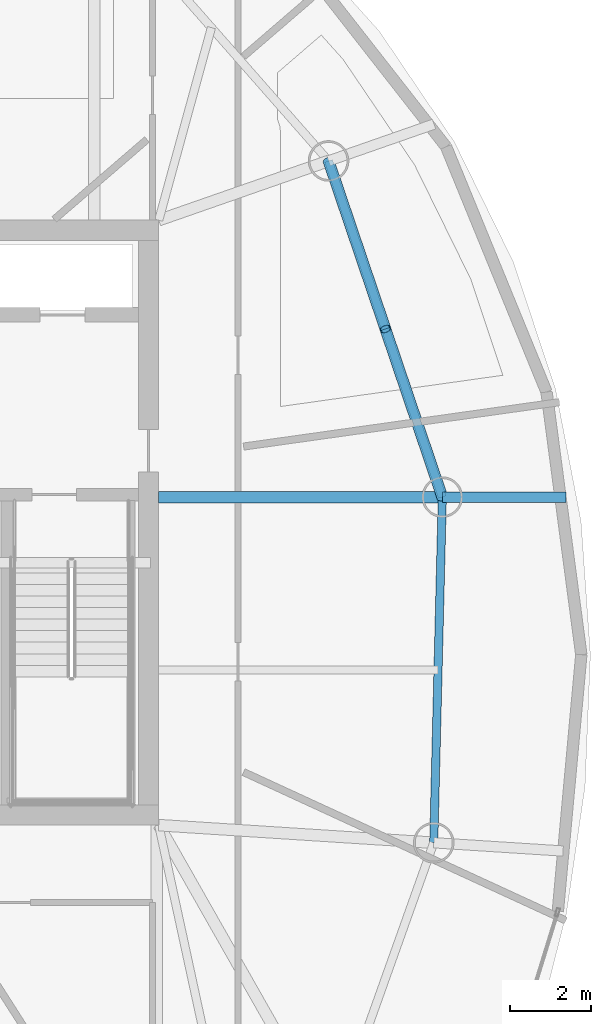
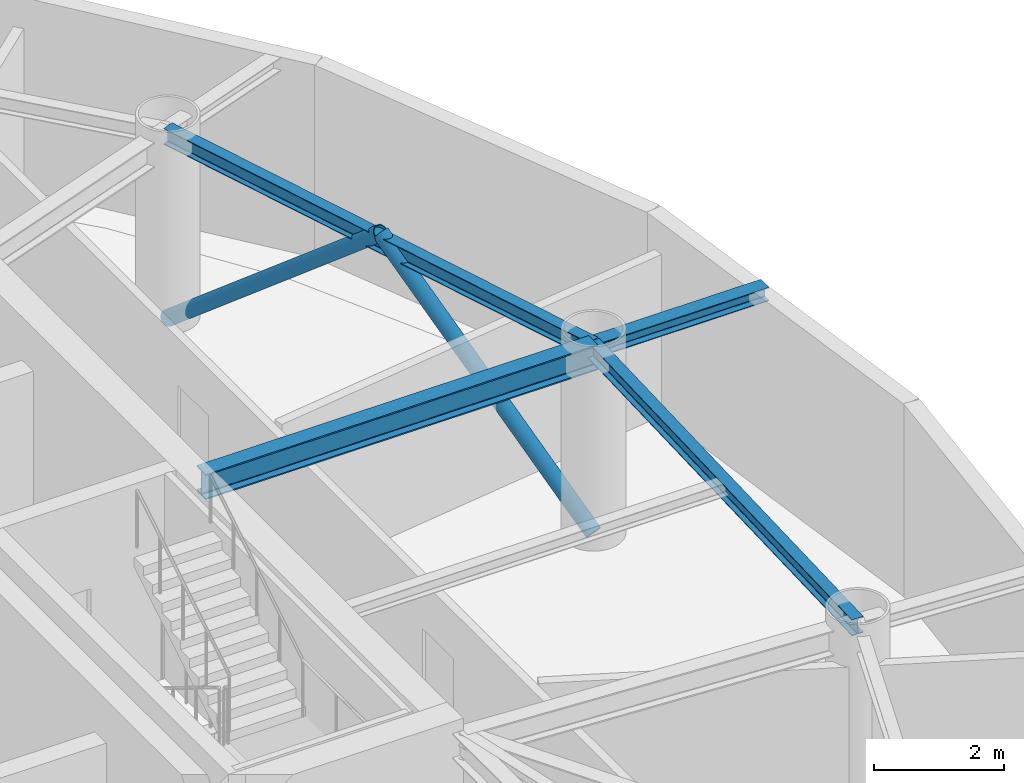
# One storey, part 7 of 19: 4 beams, 2 members.
"""IFC4 building model written with IfcOpenShell, lengths in metres."""

import ifcopenshell
import ifcopenshell.guid

model = None  # the IFC model being written
_history = None  # IfcOwnerHistory: only IFC2X3 demands one
_inside = {}  # id of a spatial element -> (the spatial element, [elements in it])
_under = {}  # id of a project, library or spatial element -> (it, [spatial elements below it])
_declared = {}  # id of a project -> (the project, [libraries it declares])
_typed = {}  # id of a type object -> (the type object, [elements of that type])
_made_of = {}  # id of a material, layer set ... -> (it, [elements and type objects made of it])


def new_model(schema):
    """Start an empty IFC model of exactly this schema.

    Asked for "IFC4X3", IfcOpenShell would pick the latest addendum, in which some entities
    have other attributes; the version numbers below select the first issue.
    IFC2X3 requires an IfcOwnerHistory on every rooted entity: one is made here for all.
    """
    global model, _history
    if schema == "IFC4X3":
        model = ifcopenshell.file(schema_version=(4, 3, 0, 0))
    else:
        model = ifcopenshell.file(schema=schema)
    _inside.clear()
    _under.clear()
    _declared.clear()
    _typed.clear()
    _made_of.clear()
    _history = None
    if model.schema == "IFC2X3":
        org = make("IfcOrganization", Name="unknown")
        user = make(
            "IfcPersonAndOrganization",
            ThePerson=make("IfcPerson", FamilyName="unknown"),
            TheOrganization=org,
        )
        app = make(
            "IfcApplication",
            ApplicationDeveloper=org,
            Version="unknown",
            ApplicationFullName="unknown",
            ApplicationIdentifier="unknown",
        )
        _history = make(
            "IfcOwnerHistory",
            OwningUser=user,
            OwningApplication=app,
            ChangeAction="ADDED",
            CreationDate=0,
        )
    return model


def make(cls, **values):
    """One entity of the class cls with the attributes given. An attribute that is None is left unset."""
    return model.create_entity(
        cls, **{name: value for name, value in values.items() if value is not None}
    )


def rooted(cls, **values):
    """An entity with a GlobalId (a new one), such as an element, a storey or a relation."""
    return make(cls, GlobalId=ifcopenshell.guid.new(), OwnerHistory=_history, **values)


def si_unit(unit_type, name, prefix=None):
    """IfcSIUnit, for example si_unit("LENGTHUNIT", "METRE", prefix="MILLI")."""
    return make("IfcSIUnit", UnitType=unit_type, Prefix=prefix, Name=name)


def assignment(units):
    """IfcUnitAssignment: the units of a project."""
    return None if units is None else make("IfcUnitAssignment", Units=units)


def point(xyz):
    """IfcCartesianPoint."""
    return None if xyz is None else make("IfcCartesianPoint", Coordinates=xyz)


def direction(xyz):
    """IfcDirection."""
    return None if xyz is None else make("IfcDirection", DirectionRatios=xyz)


def frame(location, z_axis=None, x_axis=None):
    """IfcAxis2Placement3D, a coordinate frame: its origin and axes. An axis left out is left unset."""
    return make(
        "IfcAxis2Placement3D",
        Location=point(location),
        Axis=direction(z_axis),
        RefDirection=direction(x_axis),
    )


def frame_2d(location, x_axis=None):
    """IfcAxis2Placement2D, a coordinate frame in the plane: its origin and x axis."""
    return make(
        "IfcAxis2Placement2D", Location=point(location), RefDirection=direction(x_axis)
    )


def origin():
    """The frame at (0, 0, 0) with its axes left unset."""
    return frame((0.0, 0.0, 0.0))


def origin_2d():
    """The frame at (0, 0) in the plane with its x axis left unset."""
    return frame_2d((0.0, 0.0))


def place(relative_to, where):
    """IfcLocalPlacement: puts the frame where relative to a parent placement (None: the world)."""
    return make(
        "IfcLocalPlacement", PlacementRelTo=relative_to, RelativePlacement=where
    )


def context(
    kind, dimensions, precision=None, world=None, true_north=None, identifier=None
):
    """IfcGeometricRepresentationContext, for example the 3D "Model" context."""
    return make(
        "IfcGeometricRepresentationContext",
        ContextIdentifier=identifier,
        ContextType=kind,
        CoordinateSpaceDimension=dimensions,
        Precision=precision,
        WorldCoordinateSystem=world,
        TrueNorth=true_north,
    )


def subcontext(parent, identifier, kind, view, scale=None):
    """IfcGeometricRepresentationSubContext, for example "Body" below "Model"."""
    return make(
        "IfcGeometricRepresentationSubContext",
        ContextIdentifier=identifier,
        ContextType=kind,
        ParentContext=parent,
        TargetScale=scale,
        TargetView=view,
    )


def project(units=None, contexts=None):
    """IfcProject with its units and contexts."""
    return rooted(
        "IfcProject",
        Name="project",
        RepresentationContexts=contexts,
        UnitsInContext=assignment(units),
    )


def spatial(cls, under=None, at=None, **own):
    """A site, building, storey or space (cls), placed at a placement, below another one or the project."""
    s = rooted(cls, ObjectPlacement=at, **own)
    if under is not None:
        _under.setdefault(under.id(), (under, []))[1].append(s)
    return s


def profile(cls, at=None, kind="AREA", **sizes):
    """A parametric profile (cls). Its sizes go by their IFC names, for example OverallWidth=200.0."""
    return make(cls, ProfileType=kind, Position=at, **sizes)


def hollow_circle(**sizes):
    """IfcCircleHollowProfileDef."""
    return profile("IfcCircleHollowProfileDef", **sizes)


def i_section(**sizes):
    """IfcIShapeProfileDef."""
    return profile("IfcIShapeProfileDef", **sizes)


def extrude(swept, where, along, depth):
    """IfcExtrudedAreaSolid: the profile swept, set in the frame where, extruded along a direction by depth."""
    return make(
        "IfcExtrudedAreaSolid",
        SweptArea=swept,
        Position=where,
        ExtrudedDirection=direction(along),
        Depth=depth,
    )


def shape(context_of_items, identifier, shape_type, items):
    """IfcShapeRepresentation: the items that make up one representation, for example the "Body"."""
    return make(
        "IfcShapeRepresentation",
        ContextOfItems=context_of_items,
        RepresentationIdentifier=identifier,
        RepresentationType=shape_type,
        Items=items,
    )


def material(Name=None, Category=None):
    """IfcMaterial."""
    return make("IfcMaterial", Name=Name, Category=Category)


def material_profile(
    of_material, cross_section, Name=None, Category=None, Priority=None
):
    """IfcMaterialProfile: a cross section and its material."""
    return make(
        "IfcMaterialProfile",
        Name=Name,
        Material=of_material,
        Profile=cross_section,
        Priority=Priority,
        Category=Category,
    )


def profile_set(profiles, Name=None, composite=None):
    """IfcMaterialProfileSet."""
    return make(
        "IfcMaterialProfileSet",
        Name=Name,
        MaterialProfiles=profiles,
        CompositeProfile=composite,
    )


def made_of(thing, what):
    """Note that an element or type object is made of a material, layer set ...; save() writes the relation."""
    if what is not None:
        _made_of.setdefault(what.id(), (what, []))[1].append(thing)
    return thing


def type_object(cls, material=None, **own):
    """A type object (cls), such as IfcWallType, which elements share."""
    return made_of(rooted(cls, **own), material)


def element(
    cls,
    number,
    at=None,
    inside=None,
    cuts=None,
    type_object=None,
    material=None,
    context=None,
    identifier="Body",
    shape_type=None,
    held_by="IfcProductDefinitionShape",
    body=None,
    shapes=None,
    **own,
):
    """One element of the class cls, such as IfcWall. Its Tag is "e" and its number.

    at: its placement. inside: the storey or other place that contains it. cuts: it is an
    opening in that element (IfcRelVoidsElement). A single representation is given by context,
    identifier, shape_type and body (its items); several are given by shapes. held_by: the class
    of the entity that holds the representations. save() writes the other relations.
    """
    e = rooted(cls, Tag="e%d" % number, ObjectPlacement=at, **own)
    if body is not None:
        shapes = [shape(context, identifier, shape_type, body)]
    if shapes is not None:
        e.Representation = make(held_by, Representations=shapes)
    if inside is not None:
        _inside.setdefault(inside.id(), (inside, []))[1].append(e)
    if cuts is not None:
        rooted(
            "IfcRelVoidsElement", RelatingBuildingElement=cuts, RelatedOpeningElement=e
        )
    if type_object is not None:
        _typed.setdefault(type_object.id(), (type_object, []))[1].append(e)
    return made_of(e, material)


def aggregate(whole, parts):
    """IfcRelAggregates: a whole, such as a stair, and the parts it consists of."""
    return rooted("IfcRelAggregates", RelatingObject=whole, RelatedObjects=parts)


def save(model, path):
    """Write the relations noted so far, then the file.

    IfcRelAggregates (storeys below a building ...), IfcRelContainedInSpatialStructure (elements
    in a storey), IfcRelDefinesByType, IfcRelAssociatesMaterial and IfcRelDeclares: one each for
    every whole, place, type object, material and project.
    """
    for whole, parts in _under.values():
        aggregate(whole, parts)
    for where, things in _inside.values():
        rooted(
            "IfcRelContainedInSpatialStructure",
            RelatedElements=things,
            RelatingStructure=where,
        )
    for kind, things in _typed.values():
        rooted("IfcRelDefinesByType", RelatedObjects=things, RelatingType=kind)
    for what, things in _made_of.values():
        rooted("IfcRelAssociatesMaterial", RelatedObjects=things, RelatingMaterial=what)
    for by, libraries in _declared.values():
        rooted("IfcRelDeclares", RelatingContext=by, RelatedDefinitions=libraries)
    model.write(path)


model = new_model("IFC4")

# Units and contexts
model_context = context("Model", 3, precision=1e-05, world=origin(), true_north=direction((0.0, 1.0)))
body_context = subcontext(model_context, "Body", "Model", "MODEL_VIEW")
ifc_project = project(units=[si_unit("LENGTHUNIT", "METRE"), si_unit("AREAUNIT", "SQUARE_METRE"), si_unit("VOLUMEUNIT", "CUBIC_METRE"), si_unit("PLANEANGLEUNIT", "RADIAN"), si_unit("MASSUNIT", "GRAM", prefix="KILO")], contexts=[model_context])

# Site, building, storey
site_placement = place(None, origin())
site = spatial("IfcSite", under=ifc_project, at=site_placement, CompositionType="ELEMENT")
building_placement = place(site_placement, origin())
building = spatial("IfcBuilding", under=site, at=building_placement, Name="Bramvorn Convention Spire", CompositionType="ELEMENT")
storey_placement = place(building_placement, frame((0.0, 0.0, 272.85009765625)))
storey = spatial("IfcBuildingStorey", under=building, at=storey_placement, Name="L69", CompositionType="ELEMENT", Elevation=272.85009765625)

# Beams
ifc_material = material(Name="Steel CSA G40.21 Grade 350 (350W)", Category="steel")
ifc_material_profile_1 = material_profile(ifc_material, i_section(OverallWidth=0.25390625, OverallDepth=0.2529296875, WebThickness=0.008544921875, FlangeThickness=0.01416015625, FilletRadius=0.011962890625, at=origin_2d()))
ifc_profile_set_1 = profile_set([ifc_material_profile_1], Name="Steel CSA G40.21 Grade 350 (350W) - W250X73")
beam_type_1 = type_object("IfcBeamType", Name="BM-W250X73", PredefinedType="BEAM", material=ifc_profile_set_1)
beam_1_placement = place(storey_placement, frame((56.234619140625, 26.62939453125, 3.498291015625), z_axis=(1.0, 0.0, 0.0), x_axis=(0.0, 1.0, 0.0)))
element("IfcBeam", 1, at=beam_1_placement, inside=storey, type_object=beam_type_1, Name="L69 slab-edge cantilever tip beam MC04", PredefinedType="BEAM", context=body_context, shape_type="SweptSolid", body=[
    extrude(i_section(OverallWidth=0.25390625, OverallDepth=0.2529296875, WebThickness=0.008544921875, FlangeThickness=0.01416015625, FilletRadius=0.011962890625, at=origin_2d()), origin(), (0.0, 0.0, 1.0), 3.05224609375),
])
ifc_material_profile_2 = material_profile(ifc_material, i_section(OverallWidth=0.202880859375, OverallDepth=0.302978515625, WebThickness=0.007568359375, FlangeThickness=0.01318359375, FilletRadius=0.013916015625, at=origin_2d()))
ifc_profile_set_2 = profile_set([ifc_material_profile_2], Name="Steel CSA G40.21 Grade 350 (350W) - W310X60")
beam_type_2 = type_object("IfcBeamType", Name="BM-W310X60", PredefinedType="JOIST", material=ifc_profile_set_2)
beam_2_placement = place(storey_placement, frame((56.023681640625, 18.116455078125, 3.473388671875), z_axis=(0.024770853371, 0.999693155335, 0.0), x_axis=(-0.999693155335, 0.024770853371, 0.0)))
element("IfcBeam", 2, at=beam_2_placement, inside=storey, type_object=beam_type_2, Name="L69 mega-column ring beam 03", PredefinedType="JOIST", context=body_context, shape_type="SweptSolid", body=[
    extrude(i_section(OverallWidth=0.202880859375, OverallDepth=0.302978515625, WebThickness=0.007568359375, FlangeThickness=0.01318359375, FilletRadius=0.013916015625, at=origin_2d()), origin(), (0.0, 0.0, 1.0), 8.515625),
])
beam_3_placement = place(storey_placement, frame((56.234619140625, 26.62939453125, 3.473388671875), z_axis=(-0.320531023763, 0.947238018032, 0.0), x_axis=(-0.947238018032, -0.320531023763, 0.0)))
element("IfcBeam", 3, at=beam_3_placement, inside=storey, type_object=beam_type_2, Name="L69 mega-column ring beam 04", PredefinedType="JOIST", context=body_context, shape_type="SweptSolid", body=[
    extrude(i_section(OverallWidth=0.202880859375, OverallDepth=0.302978515625, WebThickness=0.007568359375, FlangeThickness=0.01318359375, FilletRadius=0.013916015625, at=origin_2d()), origin(), (0.0, 0.0, 1.0), 8.74169921875),
])
ifc_material_profile_3 = material_profile(ifc_material, i_section(OverallWidth=0.283935546875, OverallDepth=0.47607421875, WebThickness=0.014892578125, FlangeThickness=0.02392578125, FilletRadius=0.01806640625, at=origin_2d()))
ifc_profile_set_3 = profile_set([ifc_material_profile_3], Name="Steel CSA G40.21 Grade 350 (350W) - W460X158")
beam_type_3 = type_object("IfcBeamType", Name="BM-W460X158", PredefinedType="SPANDREL", material=ifc_profile_set_3)
beam_4_placement = place(storey_placement, frame((49.25, 26.62939453125, 3.386962890625), z_axis=(1.0, 0.0, 0.0), x_axis=(0.0, 1.0, 0.0)))
element("IfcBeam", 4, at=beam_4_placement, inside=storey, type_object=beam_type_3, Name="L69 radial floor girder MC04", PredefinedType="SPANDREL", context=body_context, shape_type="SweptSolid", body=[
    extrude(i_section(OverallWidth=0.283935546875, OverallDepth=0.47607421875, WebThickness=0.014892578125, FlangeThickness=0.02392578125, FilletRadius=0.01806640625, at=origin_2d()), origin(), (0.0, 0.0, 1.0), 6.984619140625),
])

# Members
ifc_material_profile_4 = material_profile(ifc_material, hollow_circle(Radius=0.136474609375, WallThickness=0.0126953125, at=origin_2d()))
ifc_profile_set_4 = profile_set([ifc_material_profile_4], Name="Steel CSA G40.21 Grade 350 (350W) - CHS273X13")
member_type = type_object("IfcMemberType", Name="MBR-CHS273X13", PredefinedType="BRACE", material=ifc_profile_set_4)
member_1_placement = place(storey_placement, frame((56.234619140625, 26.62939453125, 0.0), z_axis=(-0.246737306961, 0.729119705305, 0.638361305759), x_axis=(-0.947232407912, -0.320547602394, 0.0)))
element("IfcMember", 5, at=member_1_placement, inside=storey, type_object=member_type, Name="L69 perimeter Gothic lancet brace 4A", PredefinedType="BRACE", context=body_context, shape_type="SweptSolid", body=[
    extrude(hollow_circle(Radius=0.136474609375, WallThickness=0.0126953125, at=origin_2d()), origin(), (0.0, 0.0, 1.0), 5.6787109375),
])
member_2_placement = place(storey_placement, frame((53.4326171875, 34.909912109375, 0.0), z_axis=(0.246704664157, -0.729107301286, 0.638388088778), x_axis=(0.947243628259, 0.320514443859, 0.0)))
element("IfcMember", 6, at=member_2_placement, inside=storey, type_object=member_type, Name="L69 perimeter Gothic lancet brace 4B", PredefinedType="BRACE", context=body_context, shape_type="SweptSolid", body=[
    extrude(hollow_circle(Radius=0.136474609375, WallThickness=0.0126953125, at=origin_2d()), origin(), (0.0, 0.0, 1.0), 5.678466796875),
])

save(model, "model.ifc")
